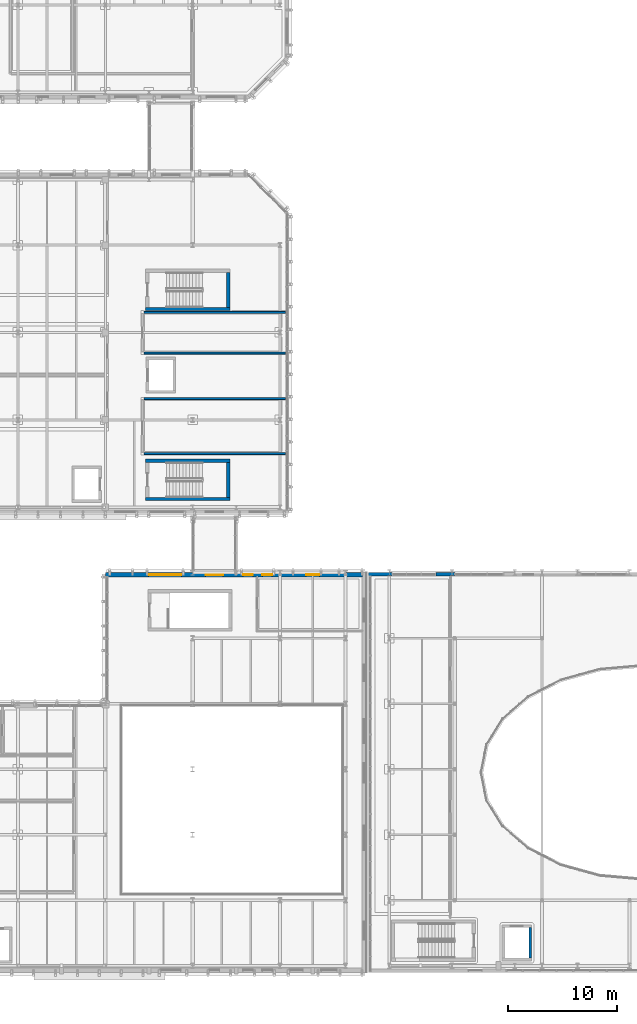
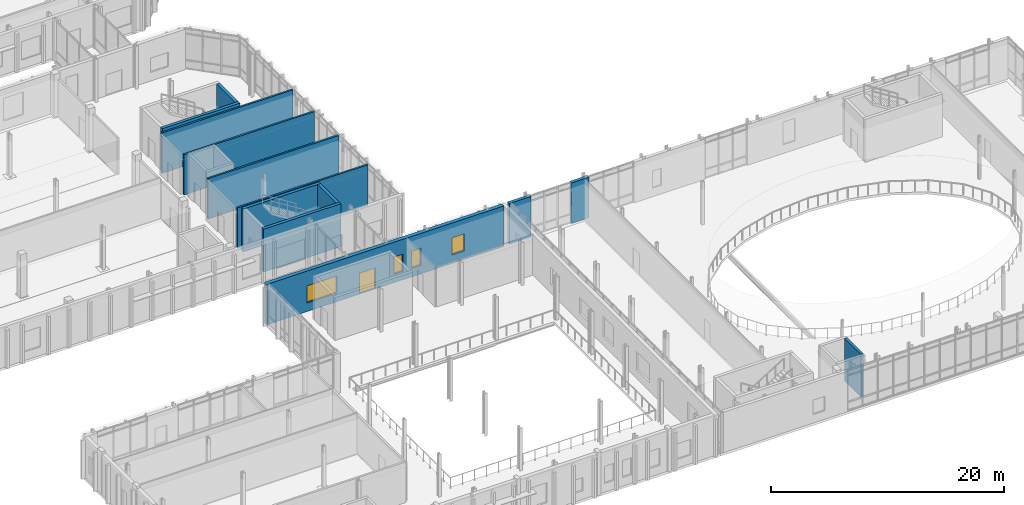
# One storey, part 70 of 100: 13 walls, 4 windows, 1 door, 5 openings.
"""IFC4 building model written with IfcOpenShell, lengths in metres."""

from ifc_helpers import new_model, si_unit, direction, frame, frame_2d, origin, place, context, subcontext, project, spatial, rectangle, extrude, material, layer, layer_set, type_object, element, fill, save


model = new_model("IFC4")

# Units and contexts
model_context = context("Model", 3, precision=1e-05, world=origin(), true_north=direction((0.0, 1.0)))
body_context = subcontext(model_context, "Body", "Model", "MODEL_VIEW")
ifc_project = project(units=[si_unit("LENGTHUNIT", "METRE"), si_unit("AREAUNIT", "SQUARE_METRE"), si_unit("VOLUMEUNIT", "CUBIC_METRE"), si_unit("PLANEANGLEUNIT", "RADIAN"), si_unit("MASSUNIT", "GRAM", prefix="KILO")], contexts=[model_context])

# Site, building, storey
site_placement = place(None, origin())
site = spatial("IfcSite", under=ifc_project, at=site_placement, CompositionType="ELEMENT")
building_placement = place(site_placement, origin())
building = spatial("IfcBuilding", under=site, at=building_placement, Name="Cymarion Research Institute", CompositionType="ELEMENT")
storey_placement = place(building_placement, frame((0.0, 0.0, 9.300048828125)))
storey = spatial("IfcBuildingStorey", under=building, at=storey_placement, Name="L02", CompositionType="ELEMENT", Elevation=9.300048828125)

# Wall, openings, door, windows
ifc_material_1 = material(Name="Precast concrete C40/50", Category="concrete")
ifc_layer_1 = layer(ifc_material_1, 0.3798828125)
ifc_layer_set_1 = layer_set([ifc_layer_1], Name="Precast concrete C40/50")
wall_type_1 = type_object("IfcWallType", Name="EXTERIOR WALL EW-PC380 380MM", PredefinedType="SOLIDWALL", material=ifc_layer_set_1)
wall_1_placement = place(storey_placement, frame((54.137939453125, 41.31005859375, 0.0), z_axis=(0.0, 0.0, 1.0), x_axis=(-1.0, 0.0, 0.0)))
wall_1 = element("IfcWall", 1, at=wall_1_placement, inside=storey, type_object=wall_type_1, Name="L02 V3 exterior wall EW-PC380 #147", PredefinedType="SOLIDWALL", context=body_context, shape_type="SweptSolid", body=[
    extrude(rectangle(XDim=23.537841796875, YDim=0.3798828125, at=frame_2d((11.76904296875, 0.0))), origin(), (0.0, 0.0, 1.0), 4.25),
])
opening_1_placement = place(wall_1_placement, frame((12.738037109375, 0.0, 0.0)))
opening_1 = element("IfcOpeningElement", 2, at=opening_1_placement, cuts=wall_1, Name="Opening D-SP1-L02-S", PredefinedType="OPENING", context=body_context, shape_type="SweptSolid", body=[
    extrude(rectangle(XDim=1.60009765625, YDim=2.199951171875, at=frame_2d((0.800048828125, 1.10009765625))), frame((0.0, 0.199951171875, 0.0), z_axis=(0.0, -1.0, 0.0), x_axis=(1.0, 0.0, 0.0)), (0.0, 0.0, 1.0), 0.39990234375),
])
opening_2_placement = place(wall_1_placement, frame((3.93798828125, 0.0, 0.89990234375)))
opening_2 = element("IfcOpeningElement", 3, at=opening_2_placement, cuts=wall_1, Name="Opening W01", PredefinedType="OPENING", context=body_context, shape_type="SweptSolid", body=[
    extrude(rectangle(XDim=1.199951171875, YDim=1.800048828125, at=frame_2d((0.60009765625, 0.89990234375))), frame((0.0, 0.199951171875, 0.0), z_axis=(0.0, -1.0, 0.0), x_axis=(1.0, 0.0, 0.0)), (0.0, 0.0, 1.0), 0.39990234375),
])
opening_3_placement = place(wall_1_placement, frame((8.258056640625, 0.0, 0.89990234375)))
opening_3 = element("IfcOpeningElement", 4, at=opening_3_placement, cuts=wall_1, Name="Opening W24", PredefinedType="OPENING", context=body_context, shape_type="SweptSolid", body=[
    extrude(rectangle(XDim=0.89990234375, YDim=1.800048828125, at=frame_2d((0.449951171875, 0.89990234375))), frame((0.0, 0.199951171875, 0.0), z_axis=(0.0, -1.0, 0.0), x_axis=(1.0, 0.0, 0.0)), (0.0, 0.0, 1.0), 0.39990234375),
])
opening_4_placement = place(wall_1_placement, frame((10.01806640625, 0.0, 0.89990234375)))
opening_4 = element("IfcOpeningElement", 5, at=opening_4_placement, cuts=wall_1, Name="Opening W24", PredefinedType="OPENING", context=body_context, shape_type="SweptSolid", body=[
    extrude(rectangle(XDim=0.89990234375, YDim=1.800048828125, at=frame_2d((0.449951171875, 0.89990234375))), frame((0.0, 0.199951171875, 0.0), z_axis=(0.0, -1.0, 0.0), x_axis=(1.0, 0.0, 0.0)), (0.0, 0.0, 1.0), 0.39990234375),
])
opening_5_placement = place(wall_1_placement, frame((16.55810546875, 0.0, 0.89990234375)))
opening_5 = element("IfcOpeningElement", 6, at=opening_5_placement, cuts=wall_1, Name="Opening W07", PredefinedType="OPENING", context=body_context, shape_type="SweptSolid", body=[
    extrude(rectangle(XDim=3.0, YDim=1.800048828125, at=frame_2d((1.5, 0.89990234375))), frame((0.0, 0.199951171875, 0.0), z_axis=(0.0, -1.0, 0.0), x_axis=(1.0, 0.0, 0.0)), (0.0, 0.0, 1.0), 0.39990234375),
])
ifc_material_2 = material(Name="Thermally broken anodised aluminium glazed door", Category="aluminium")
door_type = type_object("IfcDoorType", Name="GLAZED ALUMINIUM TERRACE ACCESS DOOR DT-TR160 1600X2200", OperationType="NOTDEFINED", PredefinedType="DOOR", material=ifc_material_2)
door_placement = place(opening_1_placement, frame((1.60009765625, 0.0, 0.0), z_axis=(0.0, 0.0, 1.0), x_axis=(-1.0, 0.0, 0.0)))
door = element("IfcDoor", 7, at=door_placement, inside=storey, type_object=door_type, Name="L02 V3 Sky-Passage Portal Door D-SP1-L02-S", OperationType="SINGLE_SWING_RIGHT", OverallHeight=2.199951171875, OverallWidth=1.60009765625, PredefinedType="DOOR", context=body_context, shape_type="SweptSolid", body=[
    extrude(rectangle(XDim=1.60009765625, YDim=2.199951171875, at=frame_2d((0.800048828125, 1.10009765625))), frame((0.0, 0.02490234375, 0.0), z_axis=(0.0, -1.0, 0.0), x_axis=(1.0, 0.0, 0.0)), (0.0, 0.0, 1.0), 0.050048828125),
])
fill(opening_1, door)
ifc_material_3 = material(Name="Thermally broken aluminium window with Low-E glazing", Category="aluminium")
window_type_1 = type_object("IfcWindowType", Name="THERMALLY BROKEN ALUMINIUM WINDOW W01 1200X1800", PartitioningType="SINGLE_PANEL", PredefinedType="WINDOW", material=ifc_material_3)
window_1_placement = place(opening_2_placement, origin())
window_1 = element("IfcWindow", 8, at=window_1_placement, inside=storey, type_object=window_type_1, Name="L02 V3 facade window W01 #268", OverallHeight=1.800048828125, OverallWidth=1.199951171875, PartitioningType="SINGLE_PANEL", PredefinedType="WINDOW", context=body_context, shape_type="SweptSolid", body=[
    extrude(rectangle(XDim=1.199951171875, YDim=1.800048828125, at=frame_2d((0.60009765625, 0.89990234375))), frame((0.0, 0.030029296875, 0.0), z_axis=(0.0, -1.0, 0.0), x_axis=(1.0, 0.0, 0.0)), (0.0, 0.0, 1.0), 0.06005859375),
])
fill(opening_2, window_1)
window_type_2 = type_object("IfcWindowType", Name="THERMALLY BROKEN ALUMINIUM WINDOW W07 3000X1800", PartitioningType="TRIPLE_PANEL_VERTICAL", PredefinedType="WINDOW", material=ifc_material_3)
window_2_placement = place(opening_5_placement, origin())
window_2 = element("IfcWindow", 9, at=window_2_placement, inside=storey, type_object=window_type_2, Name="L02 V3 facade window W07 #271", OverallHeight=1.800048828125, OverallWidth=3.0, PartitioningType="SINGLE_PANEL", PredefinedType="WINDOW", context=body_context, shape_type="SweptSolid", body=[
    extrude(rectangle(XDim=3.0, YDim=1.800048828125, at=frame_2d((1.5, 0.89990234375))), frame((0.0, 0.030029296875, 0.0), z_axis=(0.0, -1.0, 0.0), x_axis=(1.0, 0.0, 0.0)), (0.0, 0.0, 1.0), 0.06005859375),
])
fill(opening_5, window_2)
window_type_3 = type_object("IfcWindowType", Name="THERMALLY BROKEN ALUMINIUM WINDOW W24 900X1800", PartitioningType="SINGLE_PANEL", PredefinedType="WINDOW", material=ifc_material_3)
window_3_placement = place(opening_3_placement, origin())
window_3 = element("IfcWindow", 10, at=window_3_placement, inside=storey, type_object=window_type_3, Name="L02 V3 facade window W24 #269", OverallHeight=1.800048828125, OverallWidth=0.89990234375, PartitioningType="SINGLE_PANEL", PredefinedType="WINDOW", context=body_context, shape_type="SweptSolid", body=[
    extrude(rectangle(XDim=0.89990234375, YDim=1.800048828125, at=frame_2d((0.449951171875, 0.89990234375))), frame((0.0, 0.030029296875, 0.0), z_axis=(0.0, -1.0, 0.0), x_axis=(1.0, 0.0, 0.0)), (0.0, 0.0, 1.0), 0.06005859375),
])
fill(opening_3, window_3)
window_4_placement = place(opening_4_placement, origin())
window_4 = element("IfcWindow", 11, at=window_4_placement, inside=storey, type_object=window_type_3, Name="L02 V3 facade window W24 #270", OverallHeight=1.800048828125, OverallWidth=0.89990234375, PartitioningType="SINGLE_PANEL", PredefinedType="WINDOW", context=body_context, shape_type="SweptSolid", body=[
    extrude(rectangle(XDim=0.89990234375, YDim=1.800048828125, at=frame_2d((0.449951171875, 0.89990234375))), frame((0.0, 0.030029296875, 0.0), z_axis=(0.0, -1.0, 0.0), x_axis=(1.0, 0.0, 0.0)), (0.0, 0.0, 1.0), 0.06005859375),
])
fill(opening_4, window_4)

# Walls
ifc_material_4 = material(Name="Concrete C40/50", Category="concrete")
ifc_layer_2 = layer(ifc_material_4, 0.320068359375)
ifc_layer_set_2 = layer_set([ifc_layer_2], Name="Concrete C40/50")
wall_type_2 = type_object("IfcWallType", Name="EXTERIOR WALL EW-RC320 320MM", PredefinedType="SHEAR", material=ifc_layer_set_2)
wall_2_placement = place(storey_placement, frame((62.610107421875, 41.340087890625, 0.0), z_axis=(0.0, 0.0, 1.0), x_axis=(-1.0, 0.0, 0.0)))
element("IfcWall", 12, at=wall_2_placement, inside=storey, type_object=wall_type_2, Name="L02 V2 facade pier wall EW-RC320 #143", PredefinedType="SHEAR", context=body_context, shape_type="SweptSolid", body=[
    extrude(rectangle(XDim=1.722900390625, YDim=0.320068359375, at=frame_2d((0.861328125, 0.0))), origin(), (0.0, 0.0, 1.0), 4.25),
])
wall_3_placement = place(storey_placement, frame((56.860107421875, 41.340087890625, 0.0), z_axis=(0.0, 0.0, 1.0), x_axis=(-1.0, 0.0, 0.0)))
element("IfcWall", 13, at=wall_3_placement, inside=storey, type_object=wall_type_2, Name="L02 V2 facade pier wall EW-RC320 #144", PredefinedType="SHEAR", context=body_context, shape_type="SweptSolid", body=[
    extrude(rectangle(XDim=2.16015625, YDim=0.320068359375, at=frame_2d((1.080078125, 0.0))), origin(), (0.0, 0.0, 1.0), 4.25),
])
ifc_material_5 = material(Name="Moisture-resistant laboratory partition", Category="gypsum")
ifc_layer_3 = layer(ifc_material_5, 0.179931640625)
ifc_layer_set_3 = layer_set([ifc_layer_3], Name="Moisture-resistant laboratory partition")
wall_type_3 = type_object("IfcWallType", Name="INTERIOR PARTITION IW-LB180 180MM", PredefinedType="PARTITIONING", material=ifc_layer_set_3)
for number, where, z_axis, x_axis, name in (
    (14, (34.14990234375, 52.39990234375, 0.0), (0.0, 0.0, 1.0), (1.0, 0.0, 0.0), "L02 V4 interior partition IW-LB180 #197"),
    (15, (34.14990234375, 57.449951171875, 0.0), (0.0, 0.0, 1.0), (1.0, 0.0, 0.0), "L02 V4 interior partition IW-LB180 #198"),
    (16, (34.14990234375, 61.60009765625, 0.0), (0.0, 0.0, 1.0), (1.0, 0.0, 0.0), "L02 V4 interior partition IW-LB180 #199"),
    (17, (34.14990234375, 65.35009765625, 0.0), (0.0, 0.0, 1.0), (1.0, 0.0, 0.0), "L02 V4 interior partition IW-LB180 #200"),
):
    element("IfcWall", number, at=place(storey_placement, frame(where, z_axis=z_axis, x_axis=x_axis)), inside=storey, type_object=wall_type_3, Name=name, PredefinedType="PARTITIONING", context=body_context, shape_type="SweptSolid", body=[
        extrude(rectangle(XDim=12.965087890625, YDim=0.179931640625, at=frame_2d((6.482421875, 0.0))), origin(), (0.0, 0.0, 1.0), 4.25),
    ])
ifc_layer_4 = layer(ifc_material_4, 0.25)
ifc_layer_set_4 = layer_set([ifc_layer_4], Name="Concrete C40/50")
wall_type_4 = type_object("IfcWallType", Name="REINFORCED CONCRETE CORE WALL CW-SH250 250MM", PredefinedType="SHEAR", material=ifc_layer_set_4)
wall_4_placement = place(storey_placement, frame((69.52490234375, 6.199951171875, 0.0), z_axis=(0.0, 0.0, 1.0), x_axis=(0.0, 1.0, 0.0)))
element("IfcWall", 18, at=wall_4_placement, inside=storey, type_object=wall_type_4, Name="L02 LSH-LP2-L02 east core wall", PredefinedType="SHEAR", context=body_context, shape_type="SweptSolid", body=[
    extrude(rectangle(XDim=2.800048828125, YDim=0.25, at=frame_2d((1.39990234375, 0.0))), origin(), (0.0, 0.0, 1.0), 4.5),
])
ifc_layer_5 = layer(ifc_material_4, 0.300048828125)
ifc_layer_set_5 = layer_set([ifc_layer_5], Name="Concrete C40/50")
wall_type_5 = type_object("IfcWallType", Name="REINFORCED CONCRETE CORE WALL CW-SH300 300MM", PredefinedType="SHEAR", material=ifc_layer_set_5)
for number, where, z_axis, x_axis, name in (
    (19, (34.300048828125, 48.25, 0.0), (0.0, 0.0, 1.0), (1.0, 0.0, 0.0), "L02 SHW-C7-L02 south core wall"),
    (20, (42.0, 51.75, 0.0), (0.0, 0.0, 1.0), (-1.0, 0.0, 0.0), "L02 SHW-C7-L02 north core wall"),
):
    element("IfcWall", number, at=place(storey_placement, frame(where, z_axis=z_axis, x_axis=x_axis)), inside=storey, type_object=wall_type_5, Name=name, PredefinedType="SHEAR", context=body_context, shape_type="SweptSolid", body=[
        extrude(rectangle(XDim=7.699951171875, YDim=0.300048828125, at=frame_2d((3.85009765625, 0.0))), origin(), (0.0, 0.0, 1.0), 4.5),
    ])
wall_5_placement = place(storey_placement, frame((41.85009765625, 48.39990234375, 0.0), z_axis=(0.0, 0.0, 1.0), x_axis=(0.0, 1.0, 0.0)))
element("IfcWall", 21, at=wall_5_placement, inside=storey, type_object=wall_type_5, Name="L02 SHW-C7-L02 east core wall", PredefinedType="SHEAR", context=body_context, shape_type="SweptSolid", body=[
    extrude(rectangle(XDim=3.2001953125, YDim=0.300048828125, at=frame_2d((1.60009765625, 0.0))), origin(), (0.0, 0.0, 1.0), 4.5),
])
wall_6_placement = place(storey_placement, frame((34.300048828125, 65.64990234375, 0.0), z_axis=(0.0, 0.0, 1.0), x_axis=(1.0, 0.0, 0.0)))
element("IfcWall", 22, at=wall_6_placement, inside=storey, type_object=wall_type_5, Name="L02 SHW-C8-L02 south core wall", PredefinedType="SHEAR", context=body_context, shape_type="SweptSolid", body=[
    extrude(rectangle(XDim=7.699951171875, YDim=0.300048828125, at=frame_2d((3.85009765625, 0.0))), origin(), (0.0, 0.0, 1.0), 4.5),
])
wall_7_placement = place(storey_placement, frame((41.85009765625, 65.800048828125, 0.0), z_axis=(0.0, 0.0, 1.0), x_axis=(0.0, 1.0, 0.0)))
element("IfcWall", 23, at=wall_7_placement, inside=storey, type_object=wall_type_5, Name="L02 SHW-C8-L02 east core wall", PredefinedType="SHEAR", context=body_context, shape_type="SweptSolid", body=[
    extrude(rectangle(XDim=3.199951171875, YDim=0.300048828125, at=frame_2d((1.60009765625, 0.0))), origin(), (0.0, 0.0, 1.0), 4.5),
])

save(model, "model.ifc")
